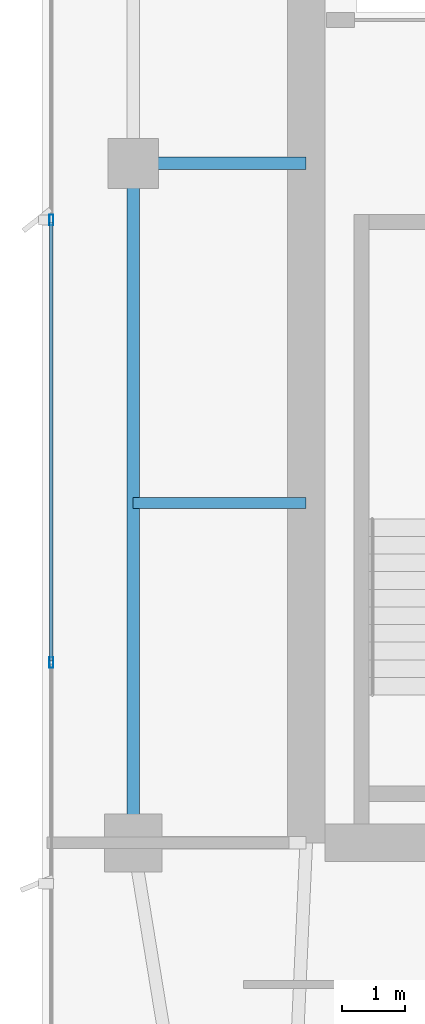
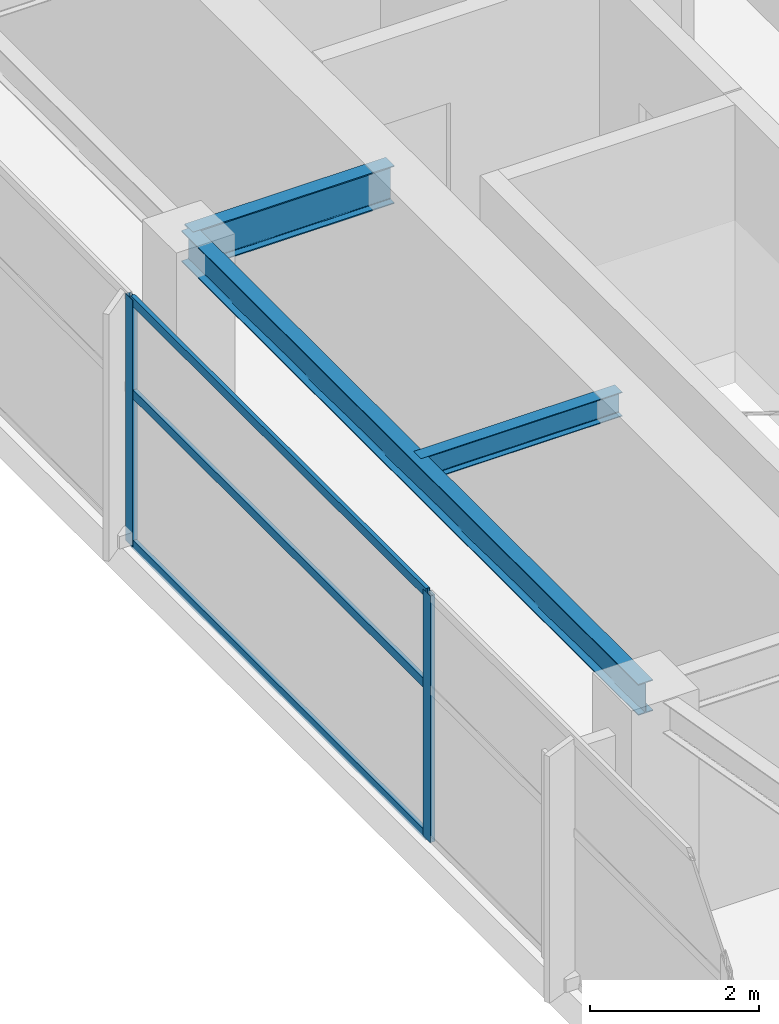
# One storey, part 10 of 27: 5 members, 3 beams, 1 element without a shape of its own.
"""IFC4 building model written with IfcOpenShell, lengths in metres."""

from ifc_helpers import new_model, si_unit, direction, frame, origin, origin_2d, place, context, subcontext, project, spatial, hollow_rectangle, i_section, extrude, material, layer, layer_set, material_profile, profile_set, type_object, element, aggregate, save


model = new_model("IFC4")

# Units and contexts
model_context = context("Model", 3, precision=1e-05, world=origin(), true_north=direction((0.0, 1.0)))
body_context = subcontext(model_context, "Body", "Model", "MODEL_VIEW")
ifc_project = project(units=[si_unit("LENGTHUNIT", "METRE"), si_unit("AREAUNIT", "SQUARE_METRE"), si_unit("VOLUMEUNIT", "CUBIC_METRE"), si_unit("PLANEANGLEUNIT", "RADIAN"), si_unit("MASSUNIT", "GRAM", prefix="KILO")], contexts=[model_context])

# Site, building, storey
site_placement = place(None, origin())
site = spatial("IfcSite", under=ifc_project, at=site_placement, CompositionType="ELEMENT")
building_placement = place(site_placement, origin())
building = spatial("IfcBuilding", under=site, at=building_placement, Name="Calvorn Quay Hotel", CompositionType="ELEMENT")
storey_placement = place(building_placement, frame((0.0, 0.0, 287.300048828125)))
storey = spatial("IfcBuildingStorey", under=building, at=storey_placement, Name="L71", CompositionType="ELEMENT", Elevation=287.300048828125)

# Beams
ifc_material_1 = material(Name="Steel Q355B", Category="steel")
ifc_material_profile_1 = material_profile(ifc_material_1, i_section(OverallWidth=0.199951171875, OverallDepth=0.550048828125, WebThickness=0.010009765625, FlangeThickness=0.01611328125, FilletRadius=0.01806640625, at=origin_2d()), Name="HN550x200x10x16")
ifc_profile_set_1 = profile_set([ifc_material_profile_1], Name="Steel Q355B")
beam_type_1 = type_object("IfcBeamType", Name="BM-GIRD-UPP", PredefinedType="BEAM", material=ifc_profile_set_1)
beam_1_placement = place(storey_placement, frame((1.449951171875, 27.60009765625, 3.264892578125), z_axis=(1.0, 0.0, 0.0), x_axis=(0.0, 1.0, 0.0)))
element("IfcBeam", 1, at=beam_1_placement, inside=storey, type_object=beam_type_1, Name="Beam BG-L71-W2", PredefinedType="BEAM", context=body_context, shape_type="SweptSolid", body=[
    extrude(i_section(OverallWidth=0.199951171875, OverallDepth=0.550048828125, WebThickness=0.010009765625, FlangeThickness=0.01611328125, FilletRadius=0.01806640625, at=origin_2d()), origin(), (0.0, 0.0, 1.0), 2.75),
])
ifc_material_2 = material(Name="Steel Q355B", Category="steel")
ifc_material_profile_2 = material_profile(ifc_material_2, i_section(OverallWidth=0.175048828125, OverallDepth=0.35009765625, WebThickness=0.007080078125, FlangeThickness=0.010986328125, FilletRadius=0.013916015625, at=origin_2d()), Name="HN350x175x7x11")
ifc_profile_set_2 = profile_set([ifc_material_profile_2], Name="Steel Q355B")
beam_type_2 = type_object("IfcBeamType", Name="BM-JOIST-SEC", PredefinedType="JOIST", material=ifc_profile_set_2)
beam_2_placement = place(storey_placement, frame((1.449951171875, 22.199951171875, 3.364990234375), z_axis=(1.0, 0.0, 0.0), x_axis=(0.0, 1.0, 0.0)))
element("IfcBeam", 2, at=beam_2_placement, inside=storey, type_object=beam_type_2, Name="Beam BJ-L71-W3", PredefinedType="JOIST", context=body_context, shape_type="SweptSolid", body=[
    extrude(i_section(OverallWidth=0.175048828125, OverallDepth=0.35009765625, WebThickness=0.007080078125, FlangeThickness=0.010986328125, FilletRadius=0.013916015625, at=origin_2d()), origin(), (0.0, 0.0, 1.0), 2.75),
])
ifc_material_3 = material(Name="Steel Q355B", Category="steel")
ifc_material_profile_3 = material_profile(ifc_material_3, i_section(OverallWidth=0.199951171875, OverallDepth=0.449951171875, WebThickness=0.009033203125, FlangeThickness=0.013916015625, FilletRadius=0.01611328125, at=origin_2d()), Name="HN450x200x9x14")
ifc_profile_set_3 = profile_set([ifc_material_profile_3], Name="Steel Q355B")
beam_type_3 = type_object("IfcBeamType", Name="BM-SPANDREL-Z3", PredefinedType="SPANDREL", material=ifc_profile_set_3)
beam_3_placement = place(storey_placement, frame((1.449951171875, 16.800048828125, 3.31494140625), z_axis=(0.0, 1.0, 0.0), x_axis=(-1.0, 0.0, 0.0)))
element("IfcBeam", 3, at=beam_3_placement, inside=storey, type_object=beam_type_3, Name="Beam BSP-L71-W2", PredefinedType="SPANDREL", context=body_context, shape_type="SweptSolid", body=[
    extrude(i_section(OverallWidth=0.199951171875, OverallDepth=0.449951171875, WebThickness=0.009033203125, FlangeThickness=0.013916015625, FilletRadius=0.01611328125, at=origin_2d()), origin(), (0.0, 0.0, 1.0), 10.800048828125),
])

# Curtain wall, members
ifc_material_4 = material(Name="Champagne Bronze Anodised Aluminium and Low-E Glass", Category="aluminium")
ifc_layer = layer(ifc_material_4, 0.219970703125)
ifc_layer_set = layer_set([ifc_layer], Name="CW-SYS-Z4")
curtain_wall_type = type_object("IfcCurtainWallType", Name="CW-SYS-Z4", PredefinedType="NOTDEFINED", material=ifc_layer_set)
curtain_wall_placement = place(storey_placement, origin())
curtain_wall = element("IfcCurtainWall", 4, at=curtain_wall_placement, inside=storey, type_object=curtain_wall_type, Name="Tower West Curtain Wall (L71)", PredefinedType="NOTDEFINED")
ifc_material_5 = material(Name="Champagne Bronze Anodised Aluminium 6063-T6", Category="aluminium")
ifc_material_profile_4 = material_profile(ifc_material_5, hollow_rectangle(XDim=0.06494140625, YDim=0.169921875, WallThickness=0.00341796875, at=origin_2d()), Name="ALU-M170x65x3.5")
ifc_profile_set_4 = profile_set([ifc_material_profile_4], Name="Champagne Bronze Anodised Aluminium 6063-T6")
member_type_1 = type_object("IfcMemberType", Name="CW-SYS-Z4-MUL", PredefinedType="MULLION", material=ifc_profile_set_4)
member_1_placement = place(storey_placement, frame((0.14990234375, 19.666748046875, 0.0), z_axis=(0.0, 0.0, 1.0), x_axis=(-1.0, 0.0, 0.0)))
member_1 = element("IfcMember", 5, at=member_1_placement, type_object=member_type_1, Name="CW-L71-W mullion 3", PredefinedType="MULLION", context=body_context, shape_type="SweptSolid", body=[
    extrude(hollow_rectangle(XDim=0.06494140625, YDim=0.169921875, WallThickness=0.00341796875, at=origin_2d()), origin(), (0.0, 0.0, 1.0), 3.56005859375),
])
member_2_placement = place(storey_placement, frame((0.14990234375, 26.699951171875, 0.0), z_axis=(0.0, 0.0, 1.0), x_axis=(-1.0, 0.0, 0.0)))
member_2 = element("IfcMember", 6, at=member_2_placement, type_object=member_type_1, Name="CW-L71-W mullion 4", PredefinedType="MULLION", context=body_context, shape_type="SweptSolid", body=[
    extrude(hollow_rectangle(XDim=0.06494140625, YDim=0.169921875, WallThickness=0.00341796875, at=origin_2d()), origin(), (0.0, 0.0, 1.0), 3.56005859375),
])
ifc_material_6 = material(Name="Champagne Bronze Anodised Aluminium 6063-T6", Category="aluminium")
ifc_material_profile_5 = material_profile(ifc_material_6, hollow_rectangle(XDim=0.054931640625, YDim=0.1298828125, WallThickness=0.003173828125, at=origin_2d()), Name="ALU-T130x55x3.2")
ifc_profile_set_5 = profile_set([ifc_material_profile_5], Name="Champagne Bronze Anodised Aluminium 6063-T6")
member_type_2 = type_object("IfcMemberType", Name="CW-SYS-Z4-TRN", PredefinedType="USERDEFINED", material=ifc_profile_set_5)
member_3_placement = place(storey_placement, frame((0.14990234375, 19.69677734375, 0.030029296875), z_axis=(0.0, 1.0, 0.0), x_axis=(-1.0, 0.0, 0.0)))
member_3 = element("IfcMember", 7, at=member_3_placement, type_object=member_type_2, Name="CW-L71-W transom 3.1", ObjectType="TRANSOM", PredefinedType="USERDEFINED", context=body_context, shape_type="SweptSolid", body=[
    extrude(hollow_rectangle(XDim=0.054931640625, YDim=0.1298828125, WallThickness=0.003173828125, at=origin_2d()), origin(), (0.0, 0.0, 1.0), 6.97314453125),
])
member_4_placement = place(storey_placement, frame((0.14990234375, 19.69677734375, 2.199951171875), z_axis=(0.0, 1.0, 0.0), x_axis=(-1.0, 0.0, 0.0)))
member_4 = element("IfcMember", 8, at=member_4_placement, type_object=member_type_2, Name="CW-L71-W transom 3.2", ObjectType="TRANSOM", PredefinedType="USERDEFINED", context=body_context, shape_type="SweptSolid", body=[
    extrude(hollow_rectangle(XDim=0.054931640625, YDim=0.1298828125, WallThickness=0.003173828125, at=origin_2d()), origin(), (0.0, 0.0, 1.0), 6.97314453125),
])
member_5_placement = place(storey_placement, frame((0.14990234375, 19.69677734375, 3.530029296875), z_axis=(0.0, 1.0, 0.0), x_axis=(-1.0, 0.0, 0.0)))
member_5 = element("IfcMember", 9, at=member_5_placement, type_object=member_type_2, Name="CW-L71-W transom 3.3", ObjectType="TRANSOM", PredefinedType="USERDEFINED", context=body_context, shape_type="SweptSolid", body=[
    extrude(hollow_rectangle(XDim=0.054931640625, YDim=0.1298828125, WallThickness=0.003173828125, at=origin_2d()), origin(), (0.0, 0.0, 1.0), 6.97314453125),
])
aggregate(curtain_wall, [member_1, member_2, member_3, member_4, member_5])

save(model, "model.ifc")
